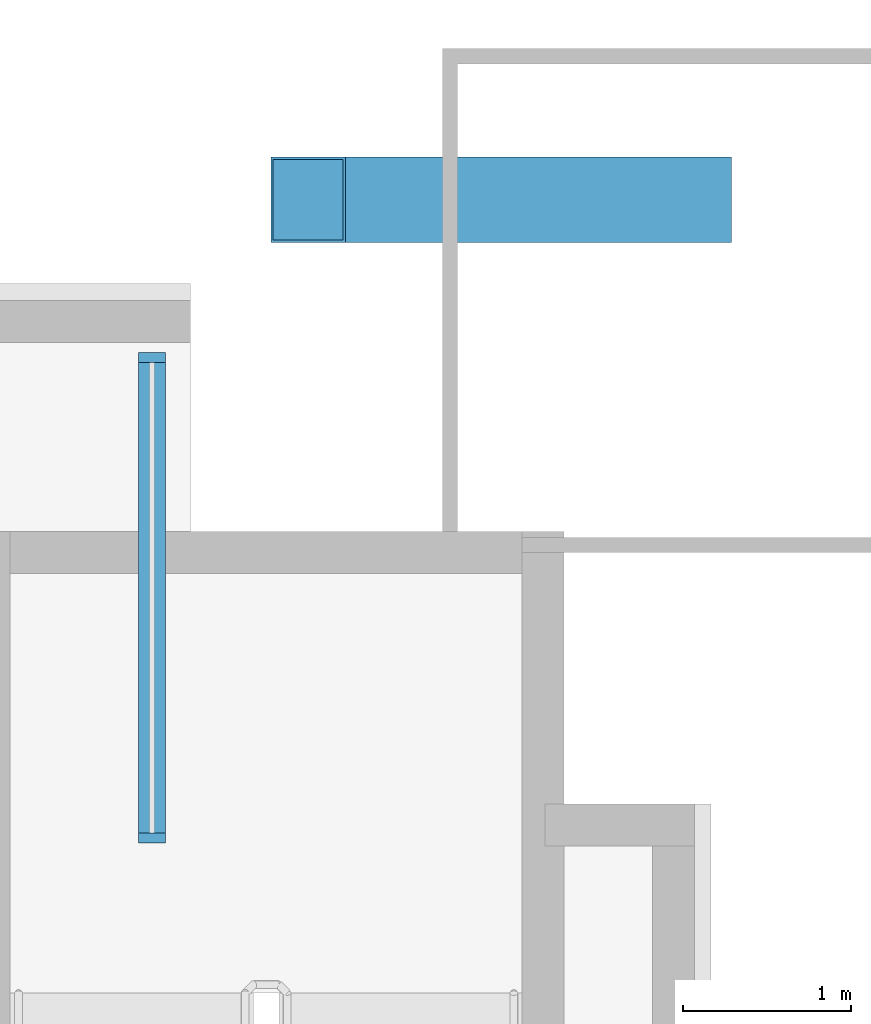
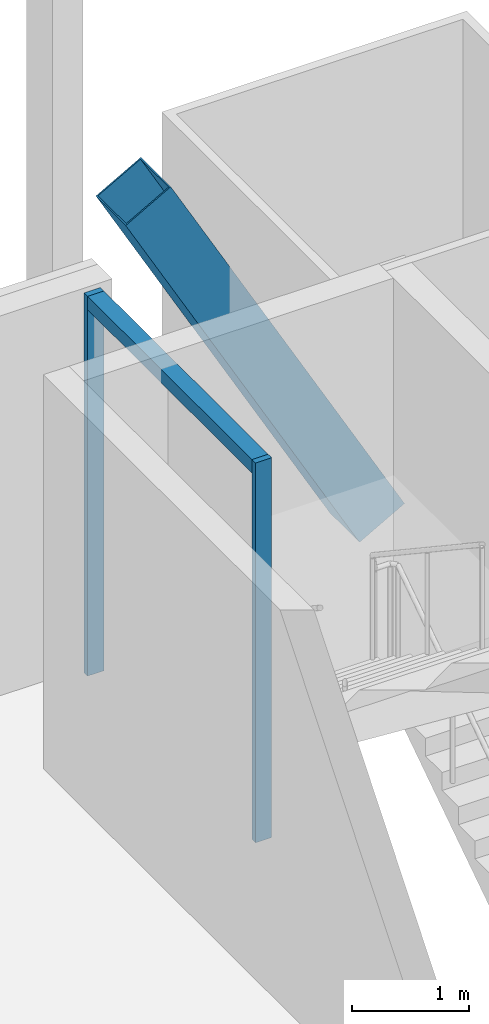
# One storey, part 15 of 22: 4 members, 1 element without a shape of its own.
"""IFC4 building model written with IfcOpenShell, lengths in metres."""

from ifc_helpers import new_model, si_unit, direction, frame, origin, origin_2d, place, context, subcontext, project, spatial, rectangle, hollow_rectangle, extrude, material, material_profile, profile_set, type_object, element, aggregate, save


model = new_model("IFC4")

# Units and contexts
model_context = context("Model", 3, precision=1e-05, world=origin(), true_north=direction((0.0, 1.0)))
body_context = subcontext(model_context, "Body", "Model", "MODEL_VIEW")
ifc_project = project(units=[si_unit("LENGTHUNIT", "METRE"), si_unit("AREAUNIT", "SQUARE_METRE"), si_unit("VOLUMEUNIT", "CUBIC_METRE"), si_unit("PLANEANGLEUNIT", "RADIAN"), si_unit("MASSUNIT", "GRAM", prefix="KILO")], contexts=[model_context])

# Site, building, storey
site_placement = place(None, origin())
site = spatial("IfcSite", under=ifc_project, at=site_placement, CompositionType="ELEMENT")
building_placement = place(site_placement, origin())
building = spatial("IfcBuilding", under=site, at=building_placement, Name="Bicima Exchange Tower", CompositionType="ELEMENT")
storey_placement = place(building_placement, frame((0.0, 0.0, 89.89990234375)))
storey = spatial("IfcBuildingStorey", under=building, at=storey_placement, Name="L18", CompositionType="ELEMENT", Elevation=89.89990234375)

# Curtain wall, members
ifc_material_1 = material(Name="Anodised bronze aluminium", Category="aluminium")
curtain_wall_type = type_object("IfcCurtainWallType", Name="Front glass wall", PredefinedType="NOTDEFINED", material=ifc_material_1)
curtain_wall_placement = place(storey_placement, origin())
curtain_wall = element("IfcCurtainWall", 1, at=curtain_wall_placement, inside=storey, type_object=curtain_wall_type, Name="Front glass wall L18 run 2", PredefinedType="NOTDEFINED")
ifc_material_profile_1 = material_profile(ifc_material_1, rectangle(XDim=0.159912109375, YDim=0.06005859375, at=origin_2d()))
ifc_profile_set_1 = profile_set([ifc_material_profile_1], Name="Anodised bronze aluminium")
member_type_1 = type_object("IfcMemberType", Name="Front glass wall mullion 60 x 160", PredefinedType="MULLION", material=ifc_profile_set_1)
member_1_placement = place(storey_placement, frame((29.77001953125, -6.199951171875, 0.0), z_axis=(0.0, 0.0, 1.0), x_axis=(-1.0, 0.0, 0.0)))
member_1 = element("IfcMember", 2, at=member_1_placement, type_object=member_type_1, Name="Front glass wall mullion 1", PredefinedType="MULLION", context=body_context, shape_type="SweptSolid", body=[
    extrude(rectangle(XDim=0.159912109375, YDim=0.06005859375, at=origin_2d()), origin(), (0.0, 0.0, 1.0), 3.9501953125),
])
member_2_placement = place(storey_placement, frame((29.77001953125, -3.340087890625, 0.0), z_axis=(0.0, 0.0, 1.0), x_axis=(-1.0, 0.0, 0.0)))
member_2 = element("IfcMember", 3, at=member_2_placement, type_object=member_type_1, Name="Front glass wall mullion 2", PredefinedType="MULLION", context=body_context, shape_type="SweptSolid", body=[
    extrude(rectangle(XDim=0.159912109375, YDim=0.06005859375, at=origin_2d()), origin(), (0.0, 0.0, 1.0), 3.9501953125),
])
ifc_material_profile_2 = material_profile(ifc_material_1, rectangle(XDim=0.159912109375, YDim=0.139892578125, at=origin_2d()))
ifc_profile_set_2 = profile_set([ifc_material_profile_2], Name="Anodised bronze aluminium")
member_type_2 = type_object("IfcMemberType", Name="Front glass wall transom 140 x 160", PredefinedType="USERDEFINED", material=ifc_profile_set_2)
member_3_placement = place(storey_placement, frame((29.77001953125, -6.169921875, 3.880126953125), z_axis=(0.0, 1.0, 0.0), x_axis=(-1.0, 0.0, 0.0)))
member_3 = element("IfcMember", 4, at=member_3_placement, type_object=member_type_2, Name="Front glass wall transom 1.1", ObjectType="TRANSOM", PredefinedType="USERDEFINED", context=body_context, shape_type="SweptSolid", body=[
    extrude(rectangle(XDim=0.159912109375, YDim=0.139892578125, at=origin_2d()), origin(), (0.0, 0.0, 1.0), 2.7998046875),
])
aggregate(curtain_wall, [member_1, member_2, member_3])

# Member
ifc_material_2 = material(Name="Steel ASTM A572 Gr 50", Category="steel")
ifc_material_profile_3 = material_profile(ifc_material_2, hollow_rectangle(XDim=0.508056640625, YDim=0.508056640625, WallThickness=0.0146484375, at=origin_2d()))
ifc_profile_set_3 = profile_set([ifc_material_profile_3], Name="Steel ASTM A572 Gr 50")
member_type_3 = type_object("IfcMemberType", Name="Mega brace HSS20x20x5/8", PredefinedType="BRACE", material=ifc_profile_set_3)
member_4_placement = place(storey_placement, frame((33.0, -2.39990234375, 0.0), z_axis=(-0.489250010841, 0.0, 0.87214358158), x_axis=(0.0, -1.0, 0.0)))
element("IfcMember", 5, at=member_4_placement, inside=storey, type_object=member_type_3, Name="Mega brace rear", PredefinedType="BRACE", context=body_context, shape_type="SweptSolid", body=[
    extrude(hollow_rectangle(XDim=0.508056640625, YDim=0.508056640625, WallThickness=0.0146484375, at=origin_2d()), origin(), (0.0, 0.0, 1.0), 4.701171875),
])

save(model, "model.ifc")
